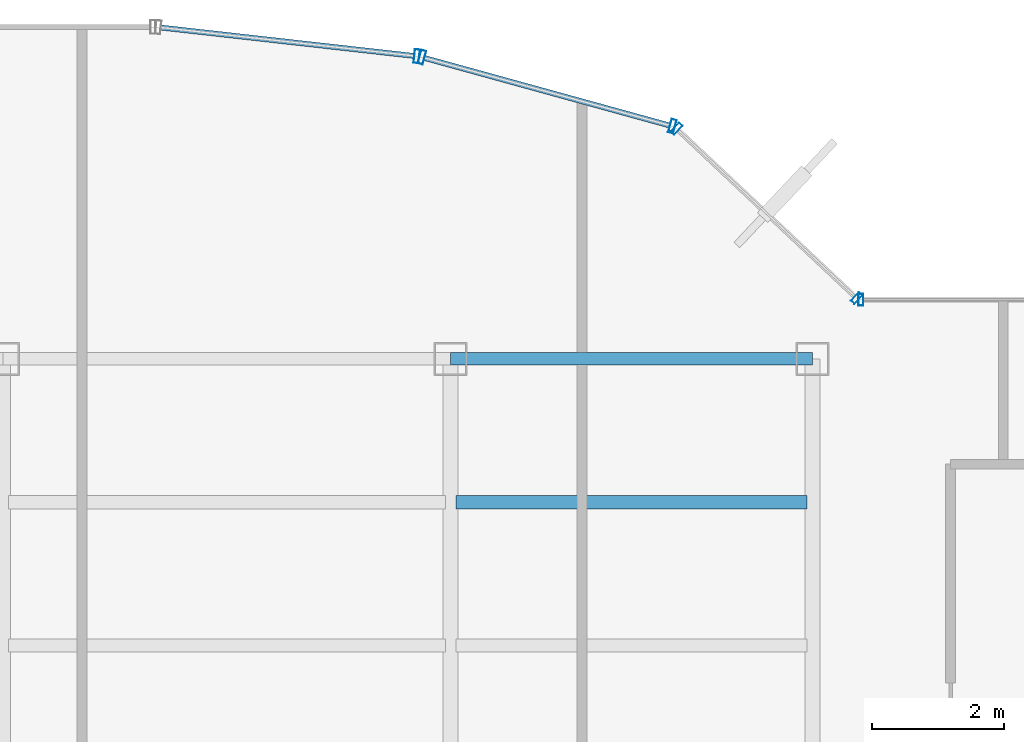
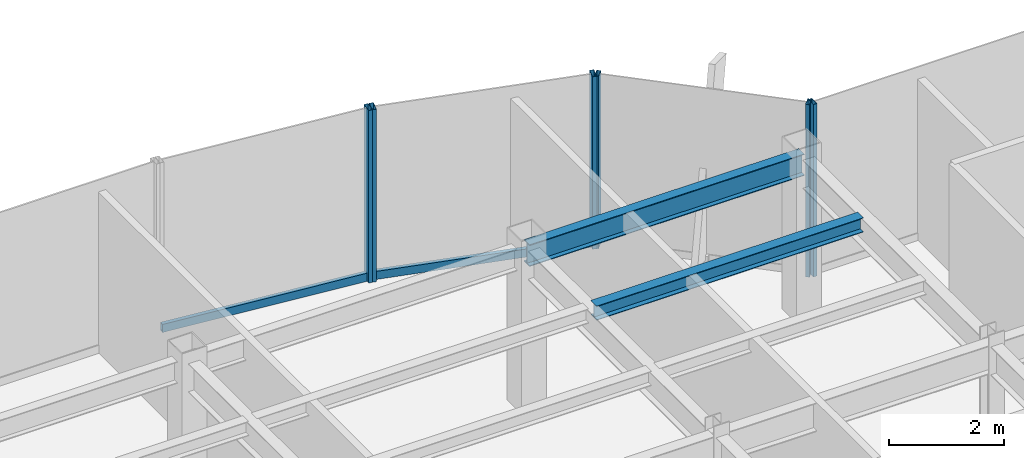
# One storey, part 14 of 22: 8 members, 2 beams, 4 elements without a shape of their own.
"""IFC4 building model written with IfcOpenShell, lengths in metres."""

from ifc_helpers import new_model, si_unit, derived_unit, direction, frame, origin, origin_2d, place, context, subcontext, project, spatial, hollow_rectangle, i_section, extrude, source, transform, mapped, material, material_profile, profile_set, type_object, element, aggregate, save


model = new_model("IFC4")

# Units and contexts
model_context = context("Model", 3, precision=1e-05, world=origin(), true_north=direction((0.0, 1.0)))
body_context = subcontext(model_context, "Body", "Model", "MODEL_VIEW")
ifc_project = project(units=[si_unit("LENGTHUNIT", "METRE"), si_unit("AREAUNIT", "SQUARE_METRE"), si_unit("VOLUMEUNIT", "CUBIC_METRE"), si_unit("PLANEANGLEUNIT", "RADIAN"), si_unit("MASSUNIT", "GRAM", prefix="KILO"), derived_unit("THERMALTRANSMITTANCEUNIT", [(si_unit("POWERUNIT", "WATT"), 1), (si_unit("LENGTHUNIT", "METRE"), -2), (si_unit("THERMODYNAMICTEMPERATUREUNIT", "KELVIN"), -1)])], contexts=[model_context])

# Site, building, storey
site_placement = place(None, origin())
site = spatial("IfcSite", under=ifc_project, at=site_placement, CompositionType="ELEMENT")
building_placement = place(site_placement, origin())
building = spatial("IfcBuilding", under=site, at=building_placement, Name="Skarnbrae Concourse Arena and Tower", CompositionType="ELEMENT")
storey_placement = place(building_placement, frame((0.0, 0.0, 251.5)))
storey = spatial("IfcBuildingStorey", under=building, at=storey_placement, Name="L65", CompositionType="ELEMENT", Elevation=251.5)

# Beams
ifc_material_1 = material(Name="Steel CSA G40.21 350W", Category="steel")
ifc_material_profile_1 = material_profile(ifc_material_1, i_section(OverallWidth=0.19091796875, OverallDepth=0.4599609375, WebThickness=0.010009765625, FlangeThickness=0.01611328125, at=origin_2d()), Name="W460X82")
ifc_profile_set_1 = profile_set([ifc_material_profile_1], Name="Steel CSA G40.21 350W")
beam_type_1 = type_object("IfcBeamType", Name="BM-SPAN-W460X82", PredefinedType="SPANDREL", material=ifc_profile_set_1)
shared_shape_1 = source(origin(), body_context, "Body", "SweptSolid", [
    extrude(i_section(OverallWidth=0.19091796875, OverallDepth=0.4599609375, WebThickness=0.010009765625, FlangeThickness=0.01611328125, at=origin_2d()), origin(), (0.0, 0.0, 1.0), 5.5),
])
beam_1_placement = place(storey_placement, frame((28.0, 34.39990234375, 3.169921875), z_axis=(1.0, 0.0, 0.0), x_axis=(0.0, 1.0, 0.0)))
element("IfcBeam", 1, at=beam_1_placement, inside=storey, type_object=beam_type_1, Name="L65 Perimeter spandrel Y34.4-4", PredefinedType="SPANDREL", context=body_context, shape_type="MappedRepresentation", body=[
    mapped(shared_shape_1, transform((0.0, 0.0, 0.0))),
])
ifc_material_profile_2 = material_profile(ifc_material_1, i_section(OverallWidth=0.202880859375, OverallDepth=0.302978515625, WebThickness=0.007568359375, FlangeThickness=0.01318359375, at=origin_2d()), Name="W310X60")
ifc_profile_set_2 = profile_set([ifc_material_profile_2], Name="Steel CSA G40.21 350W")
beam_type_2 = type_object("IfcBeamType", Name="BM-JOIST-W310X60", PredefinedType="JOIST", material=ifc_profile_set_2)
shared_shape_2 = source(origin(), body_context, "Body", "SweptSolid", [
    extrude(i_section(OverallWidth=0.202880859375, OverallDepth=0.302978515625, WebThickness=0.007568359375, FlangeThickness=0.01318359375, at=origin_2d()), origin(), (0.0, 0.0, 1.0), 5.33984375),
])
beam_2_placement = place(storey_placement, frame((28.080078125, 32.221923828125, 3.24853515625), z_axis=(1.0, 0.0, 0.0), x_axis=(0.0, 1.0, 0.0)))
element("IfcBeam", 2, at=beam_2_placement, inside=storey, type_object=beam_type_2, Name="L65 Secondary floor joist 3.2.4", PredefinedType="JOIST", context=body_context, shape_type="MappedRepresentation", body=[
    mapped(shared_shape_2, transform((0.0, 0.0, 0.0))),
])

# Curtain wall, members
ifc_material_2 = material(Name="Bronze anodised aluminium 6063-T6", Category="aluminium")
curtain_wall_type_1 = type_object("IfcCurtainWallType", Name="CW-SYS-03-PORTAL", PredefinedType="USERDEFINED", material=ifc_material_2)
curtain_wall_1_placement = place(storey_placement, origin())
curtain_wall_1 = element("IfcCurtainWall", 3, at=curtain_wall_1_placement, inside=storey, type_object=curtain_wall_type_1, Name="L65 Unitised curtain wall CW-L65-E09", ObjectType="UNITISED CURTAIN WALL", PredefinedType="USERDEFINED")
ifc_material_profile_3 = material_profile(ifc_material_2, hollow_rectangle(XDim=0.080078125, YDim=0.2099609375, WallThickness=0.00439453125, at=origin_2d()), Name="ALU-MULL-80X210")
ifc_profile_set_3 = profile_set([ifc_material_profile_3], Name="Bronze anodised aluminium 6063-T6")
member_type_1 = type_object("IfcMemberType", Name="CWM-CW-03", PredefinedType="MULLION", material=ifc_profile_set_3)
shared_shape_3 = source(origin(), body_context, "Body", "SweptSolid", [
    extrude(hollow_rectangle(XDim=0.080078125, YDim=0.2099609375, WallThickness=0.00439453125, at=origin_2d()), origin(), (0.0, 0.0, 1.0), 3.64990234375),
])
member_1_placement = place(storey_placement, frame((31.37109375, 37.937255859375, 0.0), z_axis=(0.0, 0.0, 1.0), x_axis=(-0.964057388766, 0.265694093207, 0.0)))
member_1 = element("IfcMember", 4, at=member_1_placement, type_object=member_type_1, Name="CW-L65-E09 Mullion 1", PredefinedType="MULLION", context=body_context, shape_type="MappedRepresentation", body=[
    mapped(shared_shape_3, transform((0.0, 0.0, 0.0))),
])
member_2_placement = place(storey_placement, frame((27.564453125, 38.986572265625, 0.0), z_axis=(0.0, 0.0, 1.0), x_axis=(-0.964057388766, 0.265694093207, 0.0)))
member_2 = element("IfcMember", 5, at=member_2_placement, type_object=member_type_1, Name="CW-L65-E09 Mullion 2", PredefinedType="MULLION", context=body_context, shape_type="MappedRepresentation", body=[
    mapped(shared_shape_3, transform((0.0, 0.0, 0.0))),
])

# Curtain wall, member
curtain_wall_2_placement = place(storey_placement, origin())
curtain_wall_2 = element("IfcCurtainWall", 6, at=curtain_wall_2_placement, inside=storey, type_object=curtain_wall_type_1, Name="L65 Unitised curtain wall CW-L65-E10", ObjectType="UNITISED CURTAIN WALL", PredefinedType="USERDEFINED")
member_3_placement = place(storey_placement, frame((27.486083984375, 39.001708984375, 0.0), z_axis=(0.0, 0.0, 1.0), x_axis=(-0.993768891873, 0.111460259941, 0.0)))
member_3 = element("IfcMember", 7, at=member_3_placement, type_object=member_type_1, Name="CW-L65-E10 Mullion 1", PredefinedType="MULLION", context=body_context, shape_type="MappedRepresentation", body=[
    mapped(shared_shape_3, transform((0.0, 0.0, 0.0))),
])

curtain_wall_type_2 = type_object("IfcCurtainWallType", Name="CW-SYS-05-HIGHZONE", PredefinedType="USERDEFINED", material=ifc_material_2)
curtain_wall_3_placement = place(storey_placement, origin())
curtain_wall_3 = element("IfcCurtainWall", 8, at=curtain_wall_3_placement, inside=storey, type_object=curtain_wall_type_2, Name="L65 Unitised curtain wall CW-L65-E07", ObjectType="UNITISED CURTAIN WALL", PredefinedType="USERDEFINED")
ifc_material_profile_4 = material_profile(ifc_material_2, hollow_rectangle(XDim=0.074951171875, YDim=0.179931640625, WallThickness=0.00390625, at=origin_2d()), Name="ALU-MULL-75X180")
ifc_profile_set_4 = profile_set([ifc_material_profile_4], Name="Bronze anodised aluminium 6063-T6")
member_type_2 = type_object("IfcMemberType", Name="CWM-CW-05", PredefinedType="MULLION", material=ifc_profile_set_4)
shared_shape_4 = source(origin(), body_context, "Body", "SweptSolid", [
    extrude(hollow_rectangle(XDim=0.074951171875, YDim=0.179931640625, WallThickness=0.00390625, at=origin_2d()), origin(), (0.0, 0.0, 1.0), 3.64990234375),
])
member_4_placement = place(storey_placement, frame((34.237548828125, 35.300048828125, 0.0), z_axis=(0.0, 0.0, 1.0), x_axis=(-1.0, 0.0, 0.0)))
member_4 = element("IfcMember", 9, at=member_4_placement, type_object=member_type_2, Name="CW-L65-E07 Mullion 2", PredefinedType="MULLION", context=body_context, shape_type="MappedRepresentation", body=[
    mapped(shared_shape_4, transform((0.0, 0.0, 0.0))),
])
aggregate(curtain_wall_3, [member_4])

# Curtain wall, members
curtain_wall_4_placement = place(storey_placement, origin())
curtain_wall_4 = element("IfcCurtainWall", 10, at=curtain_wall_4_placement, inside=storey, type_object=curtain_wall_type_2, Name="L65 Unitised curtain wall CW-L65-E08", ObjectType="UNITISED CURTAIN WALL", PredefinedType="USERDEFINED")
member_5_placement = place(storey_placement, frame((34.172607421875, 35.32568359375, 0.0), z_axis=(0.0, 0.0, 1.0), x_axis=(-0.728130555214, 0.685438468838, 0.0)))
member_5 = element("IfcMember", 11, at=member_5_placement, type_object=member_type_2, Name="CW-L65-E08 Mullion 1", PredefinedType="MULLION", context=body_context, shape_type="MappedRepresentation", body=[
    mapped(shared_shape_4, transform((0.0, 0.0, 0.0))),
])
member_6_placement = place(storey_placement, frame((31.43701171875, 37.90087890625, 0.0), z_axis=(0.0, 0.0, 1.0), x_axis=(-0.728130555214, 0.685438468838, 0.0)))
member_6 = element("IfcMember", 12, at=member_6_placement, type_object=member_type_2, Name="CW-L65-E08 Mullion 2", PredefinedType="MULLION", context=body_context, shape_type="MappedRepresentation", body=[
    mapped(shared_shape_4, transform((0.0, 0.0, 0.0))),
])
aggregate(curtain_wall_4, [member_5, member_6])

# Member
ifc_material_profile_5 = material_profile(ifc_material_2, hollow_rectangle(XDim=0.080078125, YDim=0.169921875, WallThickness=0.00439453125, at=origin_2d()), Name="ALU-TRAN-80X170")
ifc_profile_set_5 = profile_set([ifc_material_profile_5], Name="Bronze anodised aluminium 6063-T6")
member_type_3 = type_object("IfcMemberType", Name="CWT-CW-03", PredefinedType="USERDEFINED", material=ifc_profile_set_5)
shared_shape_5 = source(origin(), body_context, "Body", "SweptSolid", [
    extrude(hollow_rectangle(XDim=0.080078125, YDim=0.169921875, WallThickness=0.00439453125, at=origin_2d()), origin(), (0.0, 0.0, 1.0), 3.86865234375),
])
member_7_placement = place(storey_placement, frame((31.33251953125, 37.947998046875, 0.0849609375), z_axis=(-0.964062872218, 0.265674195983, 0.0), x_axis=(-0.265674195983, -0.964062872218, 0.0)))
member_7 = element("IfcMember", 13, at=member_7_placement, type_object=member_type_3, Name="CW-L65-E09 Transom 1", ObjectType="TRANSOM", PredefinedType="USERDEFINED", context=body_context, shape_type="MappedRepresentation", body=[
    mapped(shared_shape_5, transform((0.0, 0.0, 0.0))),
])

aggregate(curtain_wall_1, [member_1, member_2, member_7])

shared_shape_6 = source(origin(), body_context, "Body", "SweptSolid", [
    extrude(hollow_rectangle(XDim=0.080078125, YDim=0.169921875, WallThickness=0.00439453125, at=origin_2d()), origin(), (0.0, 0.0, 1.0), 3.873779296875),
])
member_8_placement = place(storey_placement, frame((27.4462890625, 39.006103515625, 0.0849609375), z_axis=(-0.993772558096, 0.111427567397, 0.0), x_axis=(-0.111427567397, -0.993772558096, 0.0)))
member_8 = element("IfcMember", 14, at=member_8_placement, type_object=member_type_3, Name="CW-L65-E10 Transom 1", ObjectType="TRANSOM", PredefinedType="USERDEFINED", context=body_context, shape_type="MappedRepresentation", body=[
    mapped(shared_shape_6, transform((0.0, 0.0, 0.0))),
])

aggregate(curtain_wall_2, [member_3, member_8])

save(model, "model.ifc")
